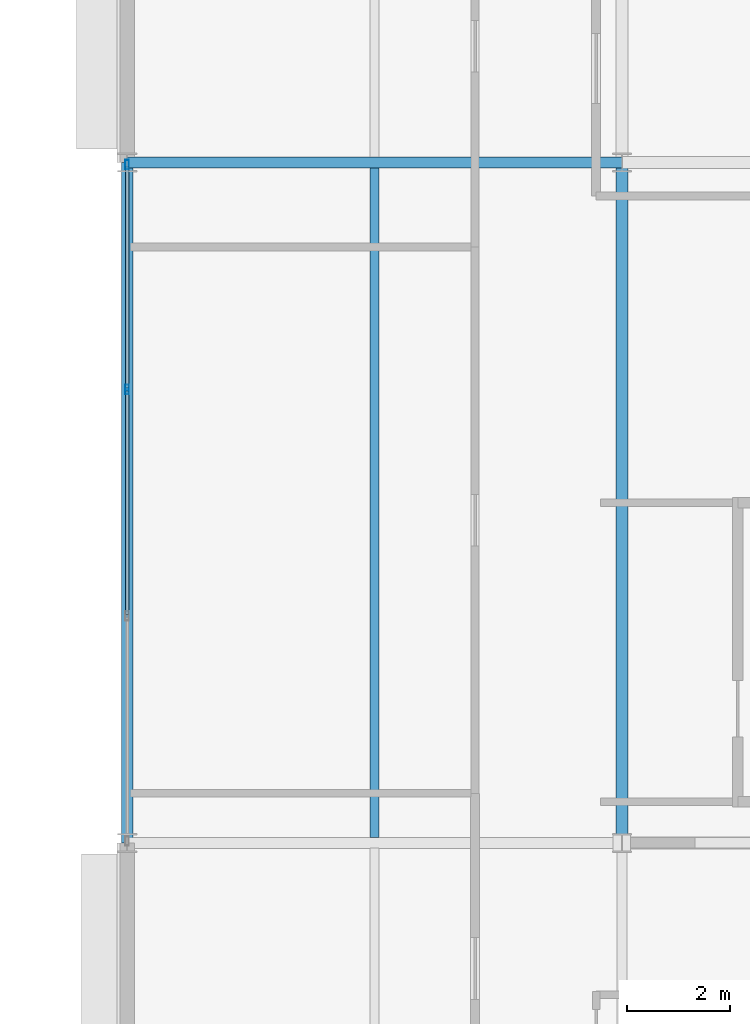
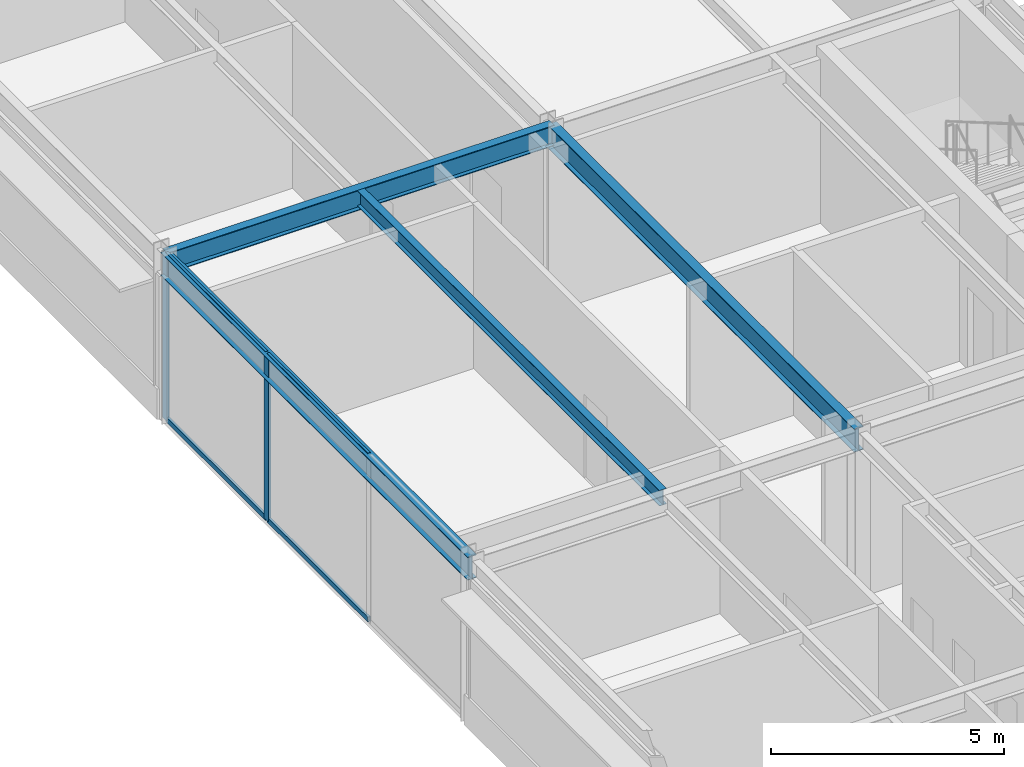
# One storey, part 22 of 50: 6 members, 4 beams, 1 element without a shape of its own.
"""IFC4 building model written with IfcOpenShell, lengths in metres."""

import ifcopenshell
import ifcopenshell.guid

model = None  # the IFC model being written
_history = None  # IfcOwnerHistory: only IFC2X3 demands one
_inside = {}  # id of a spatial element -> (the spatial element, [elements in it])
_under = {}  # id of a project, library or spatial element -> (it, [spatial elements below it])
_declared = {}  # id of a project -> (the project, [libraries it declares])
_typed = {}  # id of a type object -> (the type object, [elements of that type])
_made_of = {}  # id of a material, layer set ... -> (it, [elements and type objects made of it])


def new_model(schema):
    """Start an empty IFC model of exactly this schema.

    Asked for "IFC4X3", IfcOpenShell would pick the latest addendum, in which some entities
    have other attributes; the version numbers below select the first issue.
    IFC2X3 requires an IfcOwnerHistory on every rooted entity: one is made here for all.
    """
    global model, _history
    if schema == "IFC4X3":
        model = ifcopenshell.file(schema_version=(4, 3, 0, 0))
    else:
        model = ifcopenshell.file(schema=schema)
    _inside.clear()
    _under.clear()
    _declared.clear()
    _typed.clear()
    _made_of.clear()
    _history = None
    if model.schema == "IFC2X3":
        org = make("IfcOrganization", Name="unknown")
        user = make(
            "IfcPersonAndOrganization",
            ThePerson=make("IfcPerson", FamilyName="unknown"),
            TheOrganization=org,
        )
        app = make(
            "IfcApplication",
            ApplicationDeveloper=org,
            Version="unknown",
            ApplicationFullName="unknown",
            ApplicationIdentifier="unknown",
        )
        _history = make(
            "IfcOwnerHistory",
            OwningUser=user,
            OwningApplication=app,
            ChangeAction="ADDED",
            CreationDate=0,
        )
    return model


def make(cls, **values):
    """One entity of the class cls with the attributes given. An attribute that is None is left unset."""
    return model.create_entity(
        cls, **{name: value for name, value in values.items() if value is not None}
    )


def rooted(cls, **values):
    """An entity with a GlobalId (a new one), such as an element, a storey or a relation."""
    return make(cls, GlobalId=ifcopenshell.guid.new(), OwnerHistory=_history, **values)


def si_unit(unit_type, name, prefix=None):
    """IfcSIUnit, for example si_unit("LENGTHUNIT", "METRE", prefix="MILLI")."""
    return make("IfcSIUnit", UnitType=unit_type, Prefix=prefix, Name=name)


def assignment(units):
    """IfcUnitAssignment: the units of a project."""
    return None if units is None else make("IfcUnitAssignment", Units=units)


def point(xyz):
    """IfcCartesianPoint."""
    return None if xyz is None else make("IfcCartesianPoint", Coordinates=xyz)


def direction(xyz):
    """IfcDirection."""
    return None if xyz is None else make("IfcDirection", DirectionRatios=xyz)


def frame(location, z_axis=None, x_axis=None):
    """IfcAxis2Placement3D, a coordinate frame: its origin and axes. An axis left out is left unset."""
    return make(
        "IfcAxis2Placement3D",
        Location=point(location),
        Axis=direction(z_axis),
        RefDirection=direction(x_axis),
    )


def frame_2d(location, x_axis=None):
    """IfcAxis2Placement2D, a coordinate frame in the plane: its origin and x axis."""
    return make(
        "IfcAxis2Placement2D", Location=point(location), RefDirection=direction(x_axis)
    )


def origin():
    """The frame at (0, 0, 0) with its axes left unset."""
    return frame((0.0, 0.0, 0.0))


def origin_2d():
    """The frame at (0, 0) in the plane with its x axis left unset."""
    return frame_2d((0.0, 0.0))


def place(relative_to, where):
    """IfcLocalPlacement: puts the frame where relative to a parent placement (None: the world)."""
    return make(
        "IfcLocalPlacement", PlacementRelTo=relative_to, RelativePlacement=where
    )


def context(
    kind, dimensions, precision=None, world=None, true_north=None, identifier=None
):
    """IfcGeometricRepresentationContext, for example the 3D "Model" context."""
    return make(
        "IfcGeometricRepresentationContext",
        ContextIdentifier=identifier,
        ContextType=kind,
        CoordinateSpaceDimension=dimensions,
        Precision=precision,
        WorldCoordinateSystem=world,
        TrueNorth=true_north,
    )


def subcontext(parent, identifier, kind, view, scale=None):
    """IfcGeometricRepresentationSubContext, for example "Body" below "Model"."""
    return make(
        "IfcGeometricRepresentationSubContext",
        ContextIdentifier=identifier,
        ContextType=kind,
        ParentContext=parent,
        TargetScale=scale,
        TargetView=view,
    )


def project(units=None, contexts=None):
    """IfcProject with its units and contexts."""
    return rooted(
        "IfcProject",
        Name="project",
        RepresentationContexts=contexts,
        UnitsInContext=assignment(units),
    )


def spatial(cls, under=None, at=None, **own):
    """A site, building, storey or space (cls), placed at a placement, below another one or the project."""
    s = rooted(cls, ObjectPlacement=at, **own)
    if under is not None:
        _under.setdefault(under.id(), (under, []))[1].append(s)
    return s


def profile(cls, at=None, kind="AREA", **sizes):
    """A parametric profile (cls). Its sizes go by their IFC names, for example OverallWidth=200.0."""
    return make(cls, ProfileType=kind, Position=at, **sizes)


def hollow_rectangle(**sizes):
    """IfcRectangleHollowProfileDef."""
    return profile("IfcRectangleHollowProfileDef", **sizes)


def i_section(**sizes):
    """IfcIShapeProfileDef."""
    return profile("IfcIShapeProfileDef", **sizes)


def extrude(swept, where, along, depth):
    """IfcExtrudedAreaSolid: the profile swept, set in the frame where, extruded along a direction by depth."""
    return make(
        "IfcExtrudedAreaSolid",
        SweptArea=swept,
        Position=where,
        ExtrudedDirection=direction(along),
        Depth=depth,
    )


def shape(context_of_items, identifier, shape_type, items):
    """IfcShapeRepresentation: the items that make up one representation, for example the "Body"."""
    return make(
        "IfcShapeRepresentation",
        ContextOfItems=context_of_items,
        RepresentationIdentifier=identifier,
        RepresentationType=shape_type,
        Items=items,
    )


def material(Name=None, Category=None):
    """IfcMaterial."""
    return make("IfcMaterial", Name=Name, Category=Category)


def material_profile(
    of_material, cross_section, Name=None, Category=None, Priority=None
):
    """IfcMaterialProfile: a cross section and its material."""
    return make(
        "IfcMaterialProfile",
        Name=Name,
        Material=of_material,
        Profile=cross_section,
        Priority=Priority,
        Category=Category,
    )


def profile_set(profiles, Name=None, composite=None):
    """IfcMaterialProfileSet."""
    return make(
        "IfcMaterialProfileSet",
        Name=Name,
        MaterialProfiles=profiles,
        CompositeProfile=composite,
    )


def made_of(thing, what):
    """Note that an element or type object is made of a material, layer set ...; save() writes the relation."""
    if what is not None:
        _made_of.setdefault(what.id(), (what, []))[1].append(thing)
    return thing


def type_object(cls, material=None, **own):
    """A type object (cls), such as IfcWallType, which elements share."""
    return made_of(rooted(cls, **own), material)


def element(
    cls,
    number,
    at=None,
    inside=None,
    cuts=None,
    type_object=None,
    material=None,
    context=None,
    identifier="Body",
    shape_type=None,
    held_by="IfcProductDefinitionShape",
    body=None,
    shapes=None,
    **own,
):
    """One element of the class cls, such as IfcWall. Its Tag is "e" and its number.

    at: its placement. inside: the storey or other place that contains it. cuts: it is an
    opening in that element (IfcRelVoidsElement). A single representation is given by context,
    identifier, shape_type and body (its items); several are given by shapes. held_by: the class
    of the entity that holds the representations. save() writes the other relations.
    """
    e = rooted(cls, Tag="e%d" % number, ObjectPlacement=at, **own)
    if body is not None:
        shapes = [shape(context, identifier, shape_type, body)]
    if shapes is not None:
        e.Representation = make(held_by, Representations=shapes)
    if inside is not None:
        _inside.setdefault(inside.id(), (inside, []))[1].append(e)
    if cuts is not None:
        rooted(
            "IfcRelVoidsElement", RelatingBuildingElement=cuts, RelatedOpeningElement=e
        )
    if type_object is not None:
        _typed.setdefault(type_object.id(), (type_object, []))[1].append(e)
    return made_of(e, material)


def aggregate(whole, parts):
    """IfcRelAggregates: a whole, such as a stair, and the parts it consists of."""
    return rooted("IfcRelAggregates", RelatingObject=whole, RelatedObjects=parts)


def save(model, path):
    """Write the relations noted so far, then the file.

    IfcRelAggregates (storeys below a building ...), IfcRelContainedInSpatialStructure (elements
    in a storey), IfcRelDefinesByType, IfcRelAssociatesMaterial and IfcRelDeclares: one each for
    every whole, place, type object, material and project.
    """
    for whole, parts in _under.values():
        aggregate(whole, parts)
    for where, things in _inside.values():
        rooted(
            "IfcRelContainedInSpatialStructure",
            RelatedElements=things,
            RelatingStructure=where,
        )
    for kind, things in _typed.values():
        rooted("IfcRelDefinesByType", RelatedObjects=things, RelatingType=kind)
    for what, things in _made_of.values():
        rooted("IfcRelAssociatesMaterial", RelatedObjects=things, RelatingMaterial=what)
    for by, libraries in _declared.values():
        rooted("IfcRelDeclares", RelatingContext=by, RelatedDefinitions=libraries)
    model.write(path)


model = new_model("IFC4")

# Units and contexts
model_context = context("Model", 3, precision=1e-05, world=origin(), true_north=direction((0.0, 1.0)))
body_context = subcontext(model_context, "Body", "Model", "MODEL_VIEW")
ifc_project = project(units=[si_unit("LENGTHUNIT", "METRE"), si_unit("AREAUNIT", "SQUARE_METRE"), si_unit("VOLUMEUNIT", "CUBIC_METRE"), si_unit("PLANEANGLEUNIT", "RADIAN"), si_unit("MASSUNIT", "GRAM", prefix="KILO")], contexts=[model_context])

# Site, building, storey
site_placement = place(None, origin())
site = spatial("IfcSite", under=ifc_project, at=site_placement, CompositionType="ELEMENT")
building_placement = place(site_placement, origin())
building = spatial("IfcBuilding", under=site, at=building_placement, Name="Almandine Court Research Institute", CompositionType="ELEMENT")
storey_placement = place(building_placement, frame((0.0, 0.0, 23.449951171875)))
storey = spatial("IfcBuildingStorey", under=building, at=storey_placement, Name="L05", CompositionType="ELEMENT", Elevation=23.449951171875)

# Beams
ifc_material_1 = material(Name="Steel ASTM A992 Grade 50", Category="steel")
ifc_material_profile_1 = material_profile(ifc_material_1, i_section(OverallWidth=0.178955078125, OverallDepth=0.409912109375, WebThickness=0.009033203125, FlangeThickness=0.013916015625, at=origin_2d()), Name="W410x67")
ifc_profile_set_1 = profile_set([ifc_material_profile_1], Name="Steel ASTM A992 Grade 50")
beam_type_1 = type_object("IfcBeamType", Name="Beam-B-02", PredefinedType="JOIST", material=ifc_profile_set_1)
beam_1_placement = place(storey_placement, frame((158.39990234375, 44.5029296875, 4.179931640625), z_axis=(0.0, 1.0, 0.0), x_axis=(-1.0, 0.0, 0.0)))
element("IfcBeam", 1, at=beam_1_placement, inside=storey, type_object=beam_type_1, Name="L05 V4 Composite Secondary Beam", PredefinedType="JOIST", context=body_context, shape_type="SweptSolid", body=[
    extrude(i_section(OverallWidth=0.178955078125, OverallDepth=0.409912109375, WebThickness=0.009033203125, FlangeThickness=0.013916015625, at=origin_2d()), origin(), (0.0, 0.0, 1.0), 12.994140625),
])
ifc_material_profile_2 = material_profile(ifc_material_1, i_section(OverallWidth=0.22802734375, OverallDepth=0.60791015625, WebThickness=0.010986328125, FlangeThickness=0.01708984375, at=origin_2d()), Name="W610x113")
ifc_profile_set_2 = profile_set([ifc_material_profile_2], Name="Steel ASTM A992 Grade 50")
beam_type_2 = type_object("IfcBeamType", Name="Beam-G-03", PredefinedType="BEAM", material=ifc_profile_set_2)
for number, where, z_axis, x_axis, name in (
    (2, (153.60009765625, 44.39990234375, 4.0810546875), (0.0, 1.0, 0.0), (-1.0, 0.0, 0.0), "L05 V4 Primary Y Girder"),
    (3, (163.199951171875, 44.39990234375, 4.0810546875), (0.0, 1.0, 0.0), (-1.0, 0.0, 0.0), "L05 V4 Primary Y Girder"),
):
    element("IfcBeam", number, at=place(storey_placement, frame(where, z_axis=z_axis, x_axis=x_axis)), inside=storey, type_object=beam_type_2, Name=name, PredefinedType="BEAM", context=body_context, shape_type="SweptSolid", body=[
        extrude(i_section(OverallWidth=0.22802734375, OverallDepth=0.60791015625, WebThickness=0.010986328125, FlangeThickness=0.01708984375, at=origin_2d()), origin(), (0.0, 0.0, 1.0), 13.2001953125),
    ])
ifc_material_profile_3 = material_profile(ifc_material_1, i_section(OverallWidth=0.2109375, OverallDepth=0.5390625, WebThickness=0.011962890625, FlangeThickness=0.01904296875, at=origin_2d()), Name="W530x109")
ifc_profile_set_3 = profile_set([ifc_material_profile_3], Name="Steel ASTM A992 Grade 50")
beam_type_3 = type_object("IfcBeamType", Name="Beam-G-04", PredefinedType="BEAM", material=ifc_profile_set_3)
beam_2_placement = place(storey_placement, frame((153.60009765625, 57.60009765625, 4.115966796875), z_axis=(1.0, 0.0, 0.0), x_axis=(0.0, 1.0, 0.0)))
element("IfcBeam", 4, at=beam_2_placement, inside=storey, type_object=beam_type_3, Name="L05 V4 Primary X Girder", PredefinedType="BEAM", context=body_context, shape_type="SweptSolid", body=[
    extrude(i_section(OverallWidth=0.2109375, OverallDepth=0.5390625, WebThickness=0.011962890625, FlangeThickness=0.01904296875, at=origin_2d()), origin(), (0.0, 0.0, 1.0), 9.599853515625),
])

# Curtain wall, members
ifc_material_2 = material(Name="Unitised Curtain Wall Framing and Solar Glazing", Category="glass")
curtain_wall_type = type_object("IfcCurtainWallType", Name="CW-CWJ-16", PredefinedType="USERDEFINED", material=ifc_material_2)
curtain_wall_placement = place(storey_placement, origin())
curtain_wall = element("IfcCurtainWall", 5, at=curtain_wall_placement, inside=storey, type_object=curtain_wall_type, Name="L05 Wet Lab West Courtyard Jali Curtain Wall 5", ObjectType="SOLAR JALI SCREEN", PredefinedType="USERDEFINED")
ifc_material_3 = material(Name="Anodised Aluminium AW-6063-T6", Category="aluminium")
ifc_material_profile_4 = material_profile(ifc_material_3, hollow_rectangle(XDim=0.06494140625, YDim=0.179931640625, WallThickness=0.00390625, at=origin_2d()), Name="ALU RHS 65x180x4")
ifc_profile_set_4 = profile_set([ifc_material_profile_4], Name="Anodised Aluminium AW-6063-T6")
member_type_1 = type_object("IfcMemberType", Name="CWMul-65x180", PredefinedType="MULLION", material=ifc_profile_set_4)
member_1_placement = place(storey_placement, frame((153.60009765625, 53.19873046875, 0.0), z_axis=(0.0, 0.0, 1.0), x_axis=(-1.0, 0.0, 0.0)))
member_1 = element("IfcMember", 6, at=member_1_placement, type_object=member_type_1, Name="CWJ-16 mullion 3", PredefinedType="MULLION", context=body_context, shape_type="SweptSolid", body=[
    extrude(hollow_rectangle(XDim=0.06494140625, YDim=0.179931640625, WallThickness=0.00390625, at=origin_2d()), origin(), (0.0, 0.0, 1.0), 4.3701171875),
])
member_2_placement = place(storey_placement, frame((153.60009765625, 57.5634765625, 0.0), z_axis=(0.0, 0.0, 1.0), x_axis=(-1.0, 0.0, 0.0)))
member_2 = element("IfcMember", 7, at=member_2_placement, type_object=member_type_1, Name="CWJ-16 mullion 4", PredefinedType="MULLION", context=body_context, shape_type="SweptSolid", body=[
    extrude(hollow_rectangle(XDim=0.06494140625, YDim=0.179931640625, WallThickness=0.00390625, at=origin_2d()), origin(), (0.0, 0.0, 1.0), 4.3701171875),
])
ifc_material_profile_5 = material_profile(ifc_material_3, hollow_rectangle(XDim=0.06494140625, YDim=0.1298828125, WallThickness=0.00390625, at=origin_2d()), Name="ALU RHS 65x130x4")
ifc_profile_set_5 = profile_set([ifc_material_profile_5], Name="Anodised Aluminium AW-6063-T6")
member_type_2 = type_object("IfcMemberType", Name="CWTrn-65x130", PredefinedType="NOTDEFINED", material=ifc_profile_set_5)
member_3_placement = place(storey_placement, frame((153.60009765625, 48.833740234375, 0.032470703125), z_axis=(0.0, 1.0, 0.0), x_axis=(-1.0, 0.0, 0.0)))
member_3 = element("IfcMember", 8, at=member_3_placement, type_object=member_type_2, Name="CWJ-16 transom 2.1", ObjectType="TRANSOM", PredefinedType="USERDEFINED", context=body_context, shape_type="SweptSolid", body=[
    extrude(hollow_rectangle(XDim=0.06494140625, YDim=0.1298828125, WallThickness=0.00390625, at=origin_2d()), origin(), (0.0, 0.0, 1.0), 4.33251953125),
])
member_4_placement = place(storey_placement, frame((153.60009765625, 48.833740234375, 4.337646484375), z_axis=(0.0, 1.0, 0.0), x_axis=(-1.0, 0.0, 0.0)))
member_4 = element("IfcMember", 9, at=member_4_placement, type_object=member_type_2, Name="CWJ-16 transom 2.2", ObjectType="TRANSOM", PredefinedType="USERDEFINED", context=body_context, shape_type="SweptSolid", body=[
    extrude(hollow_rectangle(XDim=0.06494140625, YDim=0.1298828125, WallThickness=0.00390625, at=origin_2d()), origin(), (0.0, 0.0, 1.0), 4.33251953125),
])
member_5_placement = place(storey_placement, frame((153.60009765625, 53.231201171875, 0.032470703125), z_axis=(0.0, 1.0, 0.0), x_axis=(-1.0, 0.0, 0.0)))
member_5 = element("IfcMember", 10, at=member_5_placement, type_object=member_type_2, Name="CWJ-16 transom 3.1", ObjectType="TRANSOM", PredefinedType="USERDEFINED", context=body_context, shape_type="SweptSolid", body=[
    extrude(hollow_rectangle(XDim=0.06494140625, YDim=0.1298828125, WallThickness=0.00390625, at=origin_2d()), origin(), (0.0, 0.0, 1.0), 4.2998046875),
])
member_6_placement = place(storey_placement, frame((153.60009765625, 53.231201171875, 4.337646484375), z_axis=(0.0, 1.0, 0.0), x_axis=(-1.0, 0.0, 0.0)))
member_6 = element("IfcMember", 11, at=member_6_placement, type_object=member_type_2, Name="CWJ-16 transom 3.2", ObjectType="TRANSOM", PredefinedType="USERDEFINED", context=body_context, shape_type="SweptSolid", body=[
    extrude(hollow_rectangle(XDim=0.06494140625, YDim=0.1298828125, WallThickness=0.00390625, at=origin_2d()), origin(), (0.0, 0.0, 1.0), 4.2998046875),
])
aggregate(curtain_wall, [member_1, member_2, member_3, member_4, member_5, member_6])

save(model, "model.ifc")
